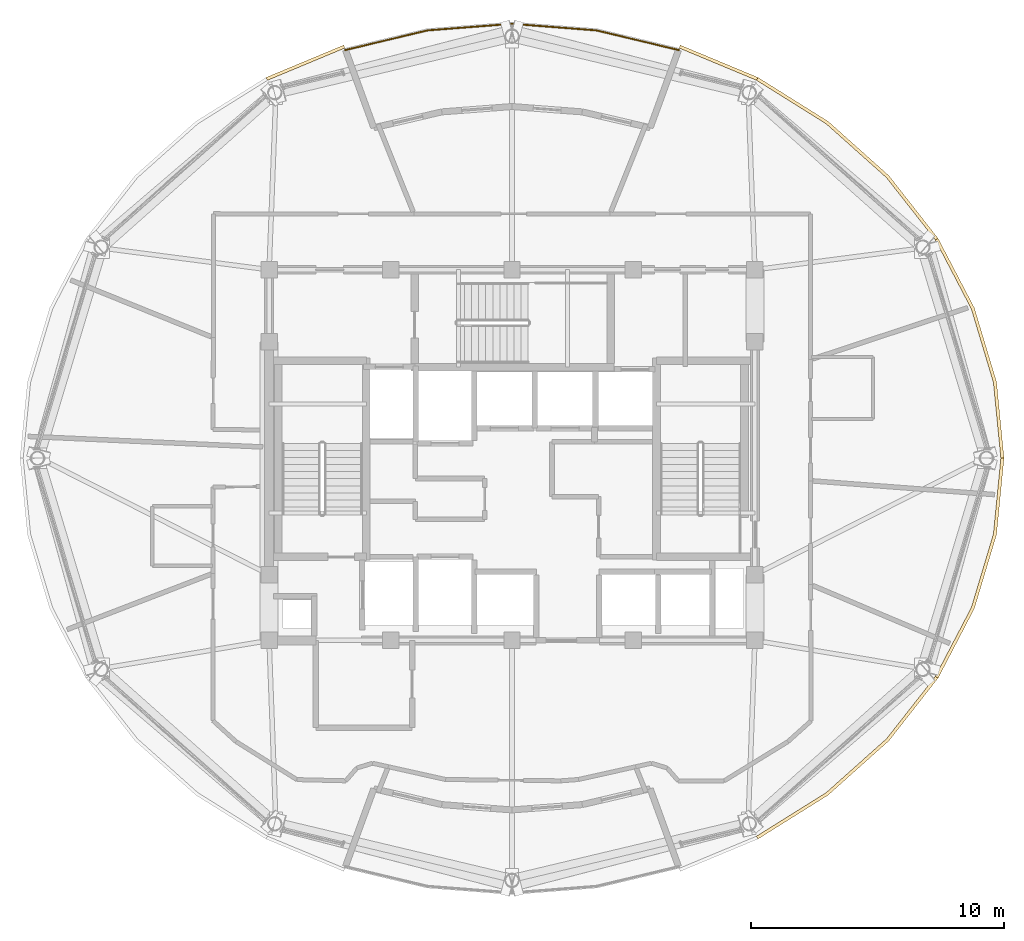
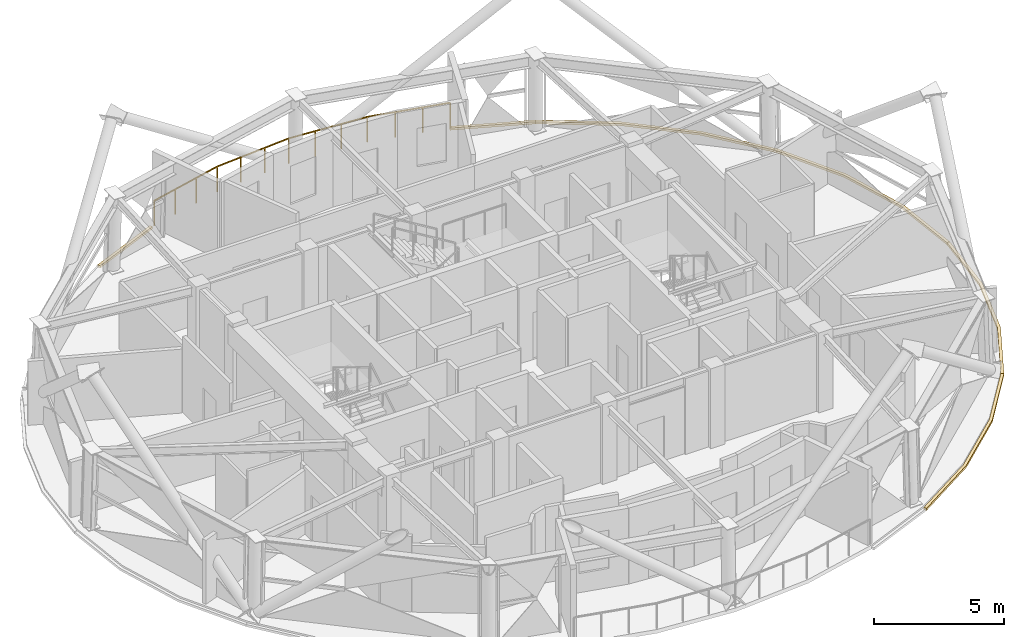
# One storey, part 13 of 13: 6 coverings, 1 railing.
"""IFC4 building model written with IfcOpenShell, lengths in metres."""

import ifcopenshell
import ifcopenshell.guid

model = None  # the IFC model being written
_history = None  # IfcOwnerHistory: only IFC2X3 demands one
_inside = {}  # id of a spatial element -> (the spatial element, [elements in it])
_under = {}  # id of a project, library or spatial element -> (it, [spatial elements below it])
_declared = {}  # id of a project -> (the project, [libraries it declares])
_typed = {}  # id of a type object -> (the type object, [elements of that type])
_made_of = {}  # id of a material, layer set ... -> (it, [elements and type objects made of it])


def new_model(schema):
    """Start an empty IFC model of exactly this schema.

    Asked for "IFC4X3", IfcOpenShell would pick the latest addendum, in which some entities
    have other attributes; the version numbers below select the first issue.
    IFC2X3 requires an IfcOwnerHistory on every rooted entity: one is made here for all.
    """
    global model, _history
    if schema == "IFC4X3":
        model = ifcopenshell.file(schema_version=(4, 3, 0, 0))
    else:
        model = ifcopenshell.file(schema=schema)
    _inside.clear()
    _under.clear()
    _declared.clear()
    _typed.clear()
    _made_of.clear()
    _history = None
    if model.schema == "IFC2X3":
        org = make("IfcOrganization", Name="unknown")
        user = make(
            "IfcPersonAndOrganization",
            ThePerson=make("IfcPerson", FamilyName="unknown"),
            TheOrganization=org,
        )
        app = make(
            "IfcApplication",
            ApplicationDeveloper=org,
            Version="unknown",
            ApplicationFullName="unknown",
            ApplicationIdentifier="unknown",
        )
        _history = make(
            "IfcOwnerHistory",
            OwningUser=user,
            OwningApplication=app,
            ChangeAction="ADDED",
            CreationDate=0,
        )
    return model


def make(cls, **values):
    """One entity of the class cls with the attributes given. An attribute that is None is left unset."""
    return model.create_entity(
        cls, **{name: value for name, value in values.items() if value is not None}
    )


def rooted(cls, **values):
    """An entity with a GlobalId (a new one), such as an element, a storey or a relation."""
    return make(cls, GlobalId=ifcopenshell.guid.new(), OwnerHistory=_history, **values)


def si_unit(unit_type, name, prefix=None):
    """IfcSIUnit, for example si_unit("LENGTHUNIT", "METRE", prefix="MILLI")."""
    return make("IfcSIUnit", UnitType=unit_type, Prefix=prefix, Name=name)


def assignment(units):
    """IfcUnitAssignment: the units of a project."""
    return None if units is None else make("IfcUnitAssignment", Units=units)


def point(xyz):
    """IfcCartesianPoint."""
    return None if xyz is None else make("IfcCartesianPoint", Coordinates=xyz)


def direction(xyz):
    """IfcDirection."""
    return None if xyz is None else make("IfcDirection", DirectionRatios=xyz)


def frame(location, z_axis=None, x_axis=None):
    """IfcAxis2Placement3D, a coordinate frame: its origin and axes. An axis left out is left unset."""
    return make(
        "IfcAxis2Placement3D",
        Location=point(location),
        Axis=direction(z_axis),
        RefDirection=direction(x_axis),
    )


def frame_2d(location, x_axis=None):
    """IfcAxis2Placement2D, a coordinate frame in the plane: its origin and x axis."""
    return make(
        "IfcAxis2Placement2D", Location=point(location), RefDirection=direction(x_axis)
    )


def origin():
    """The frame at (0, 0, 0) with its axes left unset."""
    return frame((0.0, 0.0, 0.0))


def origin_2d():
    """The frame at (0, 0) in the plane with its x axis left unset."""
    return frame_2d((0.0, 0.0))


def place(relative_to, where):
    """IfcLocalPlacement: puts the frame where relative to a parent placement (None: the world)."""
    return make(
        "IfcLocalPlacement", PlacementRelTo=relative_to, RelativePlacement=where
    )


def context(
    kind, dimensions, precision=None, world=None, true_north=None, identifier=None
):
    """IfcGeometricRepresentationContext, for example the 3D "Model" context."""
    return make(
        "IfcGeometricRepresentationContext",
        ContextIdentifier=identifier,
        ContextType=kind,
        CoordinateSpaceDimension=dimensions,
        Precision=precision,
        WorldCoordinateSystem=world,
        TrueNorth=true_north,
    )


def subcontext(parent, identifier, kind, view, scale=None):
    """IfcGeometricRepresentationSubContext, for example "Body" below "Model"."""
    return make(
        "IfcGeometricRepresentationSubContext",
        ContextIdentifier=identifier,
        ContextType=kind,
        ParentContext=parent,
        TargetScale=scale,
        TargetView=view,
    )


def project(units=None, contexts=None):
    """IfcProject with its units and contexts."""
    return rooted(
        "IfcProject",
        Name="project",
        RepresentationContexts=contexts,
        UnitsInContext=assignment(units),
    )


def spatial(cls, under=None, at=None, **own):
    """A site, building, storey or space (cls), placed at a placement, below another one or the project."""
    s = rooted(cls, ObjectPlacement=at, **own)
    if under is not None:
        _under.setdefault(under.id(), (under, []))[1].append(s)
    return s


def polyline(points):
    """IfcPolyline through the points."""
    return make("IfcPolyline", Points=[point(p) for p in points])


def profile(cls, at=None, kind="AREA", **sizes):
    """A parametric profile (cls). Its sizes go by their IFC names, for example OverallWidth=200.0."""
    return make(cls, ProfileType=kind, Position=at, **sizes)


def rectangle(**sizes):
    """IfcRectangleProfileDef."""
    return profile("IfcRectangleProfileDef", **sizes)


def outline(outer, holes=None, kind="AREA"):
    """IfcArbitraryClosedProfileDef: a profile drawn as a closed curve; with holes, ...WithVoids."""
    if holes is None:
        return make("IfcArbitraryClosedProfileDef", ProfileType=kind, OuterCurve=outer)
    return make(
        "IfcArbitraryProfileDefWithVoids",
        ProfileType=kind,
        OuterCurve=outer,
        InnerCurves=holes,
    )


def extrude(swept, where, along, depth):
    """IfcExtrudedAreaSolid: the profile swept, set in the frame where, extruded along a direction by depth."""
    return make(
        "IfcExtrudedAreaSolid",
        SweptArea=swept,
        Position=where,
        ExtrudedDirection=direction(along),
        Depth=depth,
    )


def shape(context_of_items, identifier, shape_type, items):
    """IfcShapeRepresentation: the items that make up one representation, for example the "Body"."""
    return make(
        "IfcShapeRepresentation",
        ContextOfItems=context_of_items,
        RepresentationIdentifier=identifier,
        RepresentationType=shape_type,
        Items=items,
    )


def material(Name=None, Category=None):
    """IfcMaterial."""
    return make("IfcMaterial", Name=Name, Category=Category)


def layer(
    of_material, thickness, ventilated=None, Name=None, Category=None, Priority=None
):
    """IfcMaterialLayer: one layer of a wall or slab, of a material (None: an air gap)."""
    return make(
        "IfcMaterialLayer",
        Material=of_material,
        LayerThickness=thickness,
        IsVentilated=ventilated,
        Name=Name,
        Category=Category,
        Priority=Priority,
    )


def layer_set(layers, Name=None):
    """IfcMaterialLayerSet."""
    return make("IfcMaterialLayerSet", MaterialLayers=layers, LayerSetName=Name)


def made_of(thing, what):
    """Note that an element or type object is made of a material, layer set ...; save() writes the relation."""
    if what is not None:
        _made_of.setdefault(what.id(), (what, []))[1].append(thing)
    return thing


def type_object(cls, material=None, **own):
    """A type object (cls), such as IfcWallType, which elements share."""
    return made_of(rooted(cls, **own), material)


def element(
    cls,
    number,
    at=None,
    inside=None,
    cuts=None,
    type_object=None,
    material=None,
    context=None,
    identifier="Body",
    shape_type=None,
    held_by="IfcProductDefinitionShape",
    body=None,
    shapes=None,
    **own,
):
    """One element of the class cls, such as IfcWall. Its Tag is "e" and its number.

    at: its placement. inside: the storey or other place that contains it. cuts: it is an
    opening in that element (IfcRelVoidsElement). A single representation is given by context,
    identifier, shape_type and body (its items); several are given by shapes. held_by: the class
    of the entity that holds the representations. save() writes the other relations.
    """
    e = rooted(cls, Tag="e%d" % number, ObjectPlacement=at, **own)
    if body is not None:
        shapes = [shape(context, identifier, shape_type, body)]
    if shapes is not None:
        e.Representation = make(held_by, Representations=shapes)
    if inside is not None:
        _inside.setdefault(inside.id(), (inside, []))[1].append(e)
    if cuts is not None:
        rooted(
            "IfcRelVoidsElement", RelatingBuildingElement=cuts, RelatedOpeningElement=e
        )
    if type_object is not None:
        _typed.setdefault(type_object.id(), (type_object, []))[1].append(e)
    return made_of(e, material)


def aggregate(whole, parts):
    """IfcRelAggregates: a whole, such as a stair, and the parts it consists of."""
    return rooted("IfcRelAggregates", RelatingObject=whole, RelatedObjects=parts)


def save(model, path):
    """Write the relations noted so far, then the file.

    IfcRelAggregates (storeys below a building ...), IfcRelContainedInSpatialStructure (elements
    in a storey), IfcRelDefinesByType, IfcRelAssociatesMaterial and IfcRelDeclares: one each for
    every whole, place, type object, material and project.
    """
    for whole, parts in _under.values():
        aggregate(whole, parts)
    for where, things in _inside.values():
        rooted(
            "IfcRelContainedInSpatialStructure",
            RelatedElements=things,
            RelatingStructure=where,
        )
    for kind, things in _typed.values():
        rooted("IfcRelDefinesByType", RelatedObjects=things, RelatingType=kind)
    for what, things in _made_of.values():
        rooted("IfcRelAssociatesMaterial", RelatedObjects=things, RelatingMaterial=what)
    for by, libraries in _declared.values():
        rooted("IfcRelDeclares", RelatingContext=by, RelatedDefinitions=libraries)
    model.write(path)


model = new_model("IFC4")

# Units and contexts
model_context = context("Model", 3, precision=1e-05, world=origin(), true_north=direction((0.0, 1.0)))
body_context = subcontext(model_context, "Body", "Model", "MODEL_VIEW")
ifc_project = project(units=[si_unit("LENGTHUNIT", "METRE"), si_unit("AREAUNIT", "SQUARE_METRE"), si_unit("VOLUMEUNIT", "CUBIC_METRE"), si_unit("PLANEANGLEUNIT", "RADIAN"), si_unit("MASSUNIT", "GRAM", prefix="KILO")], contexts=[model_context])

# Site, building, storey
site_placement = place(None, origin())
site = spatial("IfcSite", under=ifc_project, at=site_placement, CompositionType="ELEMENT")
building_placement = place(site_placement, origin())
building = spatial("IfcBuilding", under=site, at=building_placement, Name="Vantalir Tower", CompositionType="ELEMENT")
storey_placement = place(building_placement, frame((0.0, 0.0, 282.60009765625)))
storey = spatial("IfcBuildingStorey", under=building, at=storey_placement, Name="L71", CompositionType="ELEMENT", Elevation=282.60009765625)

# Coverings
ifc_material_1 = material(Name="Anodised champagne aluminium sill fascia", Category="aluminium")
ifc_layer = layer(ifc_material_1, 0.125)
ifc_layer_set = layer_set([ifc_layer], Name="Anodised champagne aluminium sill fascia")
covering_type = type_object("IfcCoveringType", Name="COV-SLAB-FASCIA-125", PredefinedType="CLADDING", material=ifc_layer_set)
covering_1_placement = place(storey_placement, frame((0.0, 0.0, -0.18017578125)))
element("IfcCovering", 1, at=covering_1_placement, inside=storey, type_object=covering_type, Name="L71 Perimeter Slab-Edge Sill Fascia 01", PredefinedType="CLADDING", context=body_context, shape_type="SweptSolid", body=[
    extrude(outline(polyline([(50.945068359375, 25.0), (50.64990234375, 28.01708984375), (49.77197265625, 30.943115234375), (48.340087890625, 33.68701171875), (48.23193359375, 33.625), (49.655029296875, 30.89990234375), (50.52587890625, 27.9951171875), (50.820068359375, 25.0), (50.945068359375, 25.0)])), origin(), (0.0, 0.0, 1.0), 0.10498046875),
])
covering_2_placement = place(storey_placement, frame((0.0, 0.0, -0.18017578125)))
element("IfcCovering", 2, at=covering_2_placement, inside=storey, type_object=covering_type, Name="L71 Perimeter Slab-Edge Sill Fascia 02", PredefinedType="CLADDING", context=body_context, shape_type="SweptSolid", body=[
    extrude(outline(polyline([(48.340087890625, 33.68701171875), (46.39599609375, 36.16796875), (43.9990234375, 38.31005859375), (41.222900390625, 40.047119140625), (41.159912109375, 39.93896484375), (43.9189453125, 38.214111328125), (46.300048828125, 36.087890625), (48.23193359375, 33.625), (48.340087890625, 33.68701171875)])), origin(), (0.0, 0.0, 1.0), 0.10498046875),
])
covering_3_placement = place(storey_placement, frame((0.0, 0.0, -0.18017578125)))
element("IfcCovering", 3, at=covering_3_placement, inside=storey, type_object=covering_type, Name="L71 Perimeter Slab-Edge Sill Fascia 03", PredefinedType="CLADDING", context=body_context, shape_type="SweptSolid", body=[
    extrude(outline(polyline([(41.222900390625, 40.047119140625), (38.15087890625, 41.326904296875), (38.10791015625, 41.2099609375), (41.159912109375, 39.93896484375), (41.222900390625, 40.047119140625)])), origin(), (0.0, 0.0, 1.0), 0.10498046875),
])
covering_4_placement = place(storey_placement, frame((0.0, 0.0, -0.18017578125)))
element("IfcCovering", 4, at=covering_4_placement, inside=storey, type_object=covering_type, Name="L71 Perimeter Slab-Edge Sill Fascia 04", PredefinedType="CLADDING", context=body_context, shape_type="SweptSolid", body=[
    extrude(outline(polyline([(24.84912109375, 41.326904296875), (21.778076171875, 40.047119140625), (21.840087890625, 39.93896484375), (24.89208984375, 41.2099609375), (24.84912109375, 41.326904296875)])), origin(), (0.0, 0.0, 1.0), 0.10498046875),
])
covering_5_placement = place(storey_placement, frame((0.0, 0.0, -0.18017578125)))
element("IfcCovering", 5, at=covering_5_placement, inside=storey, type_object=covering_type, Name="L71 Perimeter Slab-Edge Sill Fascia 11", PredefinedType="CLADDING", context=body_context, shape_type="SweptSolid", body=[
    extrude(outline(polyline([(41.222900390625, 9.952880859375), (43.9990234375, 11.68994140625), (46.39599609375, 13.83203125), (48.340087890625, 16.31201171875), (48.23193359375, 16.375), (46.300048828125, 13.912109375), (43.9189453125, 11.785888671875), (41.159912109375, 10.06103515625), (41.222900390625, 9.952880859375)])), origin(), (0.0, 0.0, 1.0), 0.10498046875),
])
covering_6_placement = place(storey_placement, frame((0.0, 0.0, -0.18017578125)))
element("IfcCovering", 6, at=covering_6_placement, inside=storey, type_object=covering_type, Name="L71 Perimeter Slab-Edge Sill Fascia 12", PredefinedType="CLADDING", context=body_context, shape_type="SweptSolid", body=[
    extrude(outline(polyline([(48.340087890625, 16.31201171875), (49.77197265625, 19.056884765625), (50.64990234375, 21.98291015625), (50.945068359375, 25.0), (50.820068359375, 25.0), (50.52587890625, 22.0048828125), (49.655029296875, 19.10009765625), (48.23193359375, 16.375), (48.340087890625, 16.31201171875)])), origin(), (0.0, 0.0, 1.0), 0.10498046875),
])

# Railing
ifc_material_2 = material(Name="Laminated safety glass and champagne-silver balustrade", Category="glass")
railing_type = type_object("IfcRailingType", Name="RAL-BALUSTRADE-1200", PredefinedType="BALUSTRADE", material=ifc_material_2)
railing_placement = place(storey_placement, frame((38.080078125, 41.135009765625, 0.0)))
element("IfcRailing", 7, at=railing_placement, inside=storey, type_object=railing_type, Name="L71 Wind-Portal Edge Balustrade N", PredefinedType="BALUSTRADE", context=body_context, shape_type="SweptSolid", body=[
    extrude(rectangle(XDim=0.048095703125, YDim=0.048095703125, at=origin_2d()), frame((0.0, 0.0, 1.17578125), z_axis=(-0.97262105342, 0.232396829678, 0.0), x_axis=(-0.232396829678, -0.97262105342, 0.0)), (0.0, 0.0, 1.0), 3.330078125),
    extrude(rectangle(XDim=0.048095703125, YDim=0.048095703125, at=origin_2d()), frame((-3.239013671875, 0.77392578125, 1.17578125), z_axis=(-0.996962936804, 0.077877484797, 0.0), x_axis=(-0.077877484797, -0.996962936804, 0.0)), (0.0, 0.0, 1.0), 3.351318359375),
    extrude(rectangle(XDim=0.048095703125, YDim=0.048095703125, at=origin_2d()), frame((-6.580078125, 1.034912109375, 1.17578125), z_axis=(-0.996962936804, -0.077877484797, 0.0), x_axis=(0.077877484797, -0.996962936804, 0.0)), (0.0, 0.0, 1.0), 3.351318359375),
    extrude(rectangle(XDim=0.048095703125, YDim=0.048095703125, at=origin_2d()), frame((-9.921142578125, 0.77392578125, 1.17578125), z_axis=(-0.97262105342, -0.232396829678, 0.0), x_axis=(0.232396829678, -0.97262105342, 0.0)), (0.0, 0.0, 1.0), 3.330078125),
    extrude(rectangle(XDim=0.0419921875, YDim=0.0419921875, at=origin_2d()), origin(), (0.0, 0.0, 1.0), 1.15185546875),
    extrude(rectangle(XDim=0.0419921875, YDim=0.0419921875, at=origin_2d()), frame((-1.07958984375, 0.258056640625, 0.0)), (0.0, 0.0, 1.0), 1.15185546875),
    extrude(rectangle(XDim=0.0419921875, YDim=0.0419921875, at=origin_2d()), frame((-2.159423828125, 0.515869140625, 0.0)), (0.0, 0.0, 1.0), 1.15185546875),
    extrude(rectangle(XDim=0.0419921875, YDim=0.0419921875, at=origin_2d()), frame((-3.239013671875, 0.77392578125, 0.0)), (0.0, 0.0, 1.0), 1.15185546875),
    extrude(rectangle(XDim=0.0419921875, YDim=0.0419921875, at=origin_2d()), frame((-4.352783203125, 0.86083984375, 0.0)), (0.0, 0.0, 1.0), 1.15185546875),
    extrude(rectangle(XDim=0.0419921875, YDim=0.0419921875, at=origin_2d()), frame((-5.46630859375, 0.947998046875, 0.0)), (0.0, 0.0, 1.0), 1.15185546875),
    extrude(rectangle(XDim=0.0419921875, YDim=0.0419921875, at=origin_2d()), frame((-6.580078125, 1.034912109375, 0.0)), (0.0, 0.0, 1.0), 1.15185546875),
    extrude(rectangle(XDim=0.0419921875, YDim=0.0419921875, at=origin_2d()), frame((-7.69384765625, 0.947998046875, 0.0)), (0.0, 0.0, 1.0), 1.15185546875),
    extrude(rectangle(XDim=0.0419921875, YDim=0.0419921875, at=origin_2d()), frame((-8.807373046875, 0.86083984375, 0.0)), (0.0, 0.0, 1.0), 1.15185546875),
    extrude(rectangle(XDim=0.0419921875, YDim=0.0419921875, at=origin_2d()), frame((-9.921142578125, 0.77392578125, 0.0)), (0.0, 0.0, 1.0), 1.15185546875),
    extrude(rectangle(XDim=0.0419921875, YDim=0.0419921875, at=origin_2d()), frame((-11.000732421875, 0.515869140625, 0.0)), (0.0, 0.0, 1.0), 1.15185546875),
    extrude(rectangle(XDim=0.0419921875, YDim=0.0419921875, at=origin_2d()), frame((-12.08056640625, 0.258056640625, 0.0)), (0.0, 0.0, 1.0), 1.15185546875),
    extrude(rectangle(XDim=0.0419921875, YDim=0.0419921875, at=origin_2d()), frame((-13.16015625, 0.0, 0.0)), (0.0, 0.0, 1.0), 1.15185546875),
])

save(model, "model.ifc")
